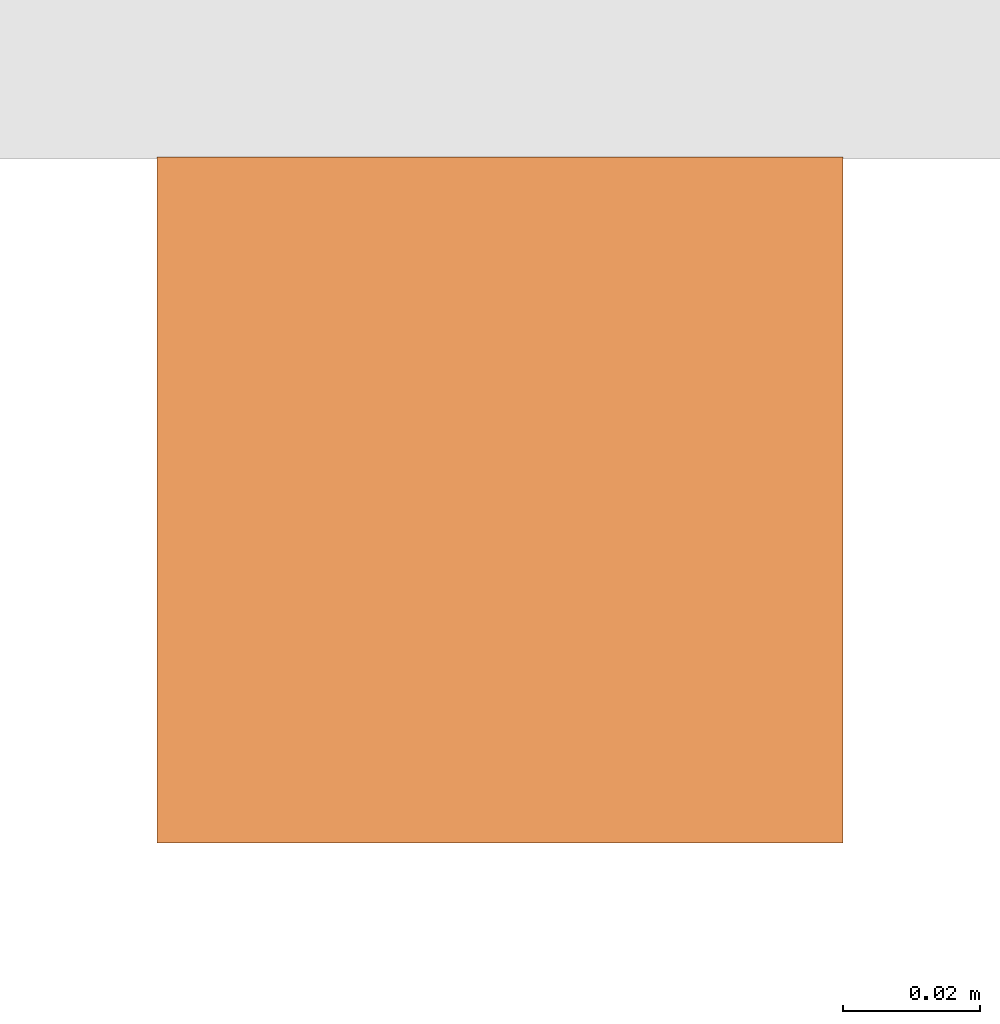
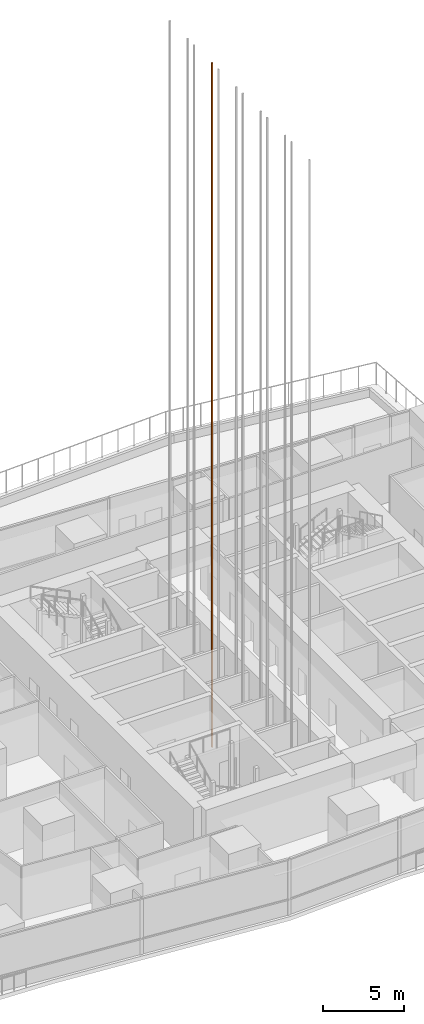
# One storey, part 36 of 39: 1 proxy.
"""IFC4 building model written with IfcOpenShell, lengths in metres."""

from ifc_helpers import new_model, si_unit, direction, frame, origin, origin_2d, place, context, subcontext, project, spatial, rectangle, extrude, material, type_object, element, save


model = new_model("IFC4")

# Units and contexts
model_context = context("Model", 3, precision=1e-05, world=origin(), true_north=direction((0.0, 1.0)))
body_context = subcontext(model_context, "Body", "Model", "MODEL_VIEW")
ifc_project = project(units=[si_unit("LENGTHUNIT", "METRE"), si_unit("AREAUNIT", "SQUARE_METRE"), si_unit("VOLUMEUNIT", "CUBIC_METRE"), si_unit("PLANEANGLEUNIT", "RADIAN"), si_unit("MASSUNIT", "GRAM", prefix="KILO")], contexts=[model_context])

# Site, building, storey
site_placement = place(None, origin())
site = spatial("IfcSite", under=ifc_project, at=site_placement, CompositionType="ELEMENT")
building_placement = place(site_placement, origin())
building = spatial("IfcBuilding", under=site, at=building_placement, Name="Rekha Terrace Tower", CompositionType="ELEMENT")
storey_placement = place(building_placement, frame((0.0, 0.0, 245.60009765625)))
storey = spatial("IfcBuildingStorey", under=building, at=storey_placement, Name="L62", CompositionType="ELEMENT", Elevation=245.60009765625)

# Proxy
ifc_material = material(Name="Steel guide rail", Category="steel")
building_element_proxy_type = type_object("IfcBuildingElementProxyType", Name="LR1 100 lift guide rail", PredefinedType="ELEMENT", material=ifc_material)
proxy_placement = place(storey_placement, frame((34.5, 35.800048828125, -3.30029296875), z_axis=(0.0, 0.0, 1.0), x_axis=(1.0, 0.0, 0.0)))
element("IfcBuildingElementProxy", 1, at=proxy_placement, inside=storey, type_object=building_element_proxy_type, Name="Lift D5 guide rail 1", PredefinedType="ELEMENT", context=body_context, shape_type="SweptSolid", body=[
    extrude(rectangle(XDim=0.10009765625, YDim=0.10009765625, at=origin_2d()), origin(), (0.0, 0.0, 1.0), 51.449951171875),
])

save(model, "model.ifc")
